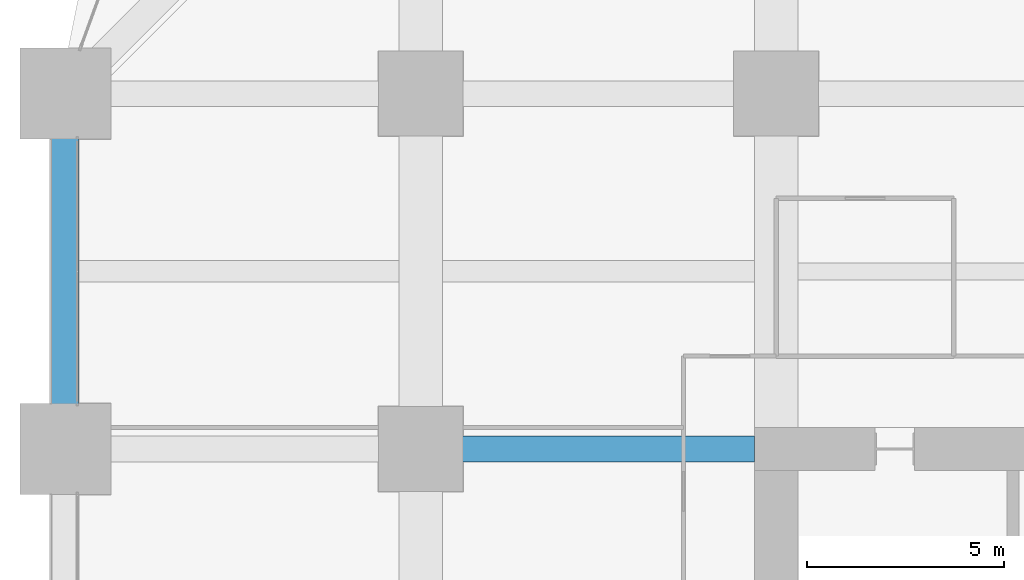
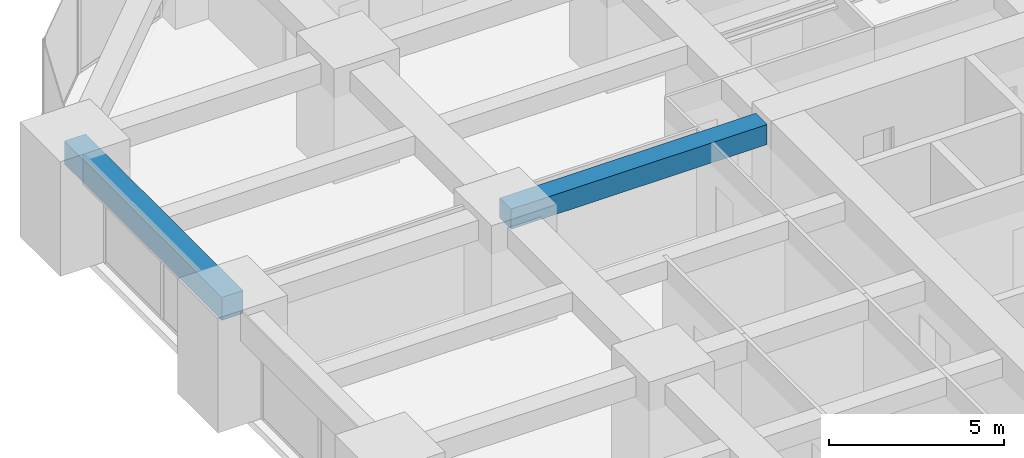
# One storey, part 24 of 44: 2 beams.
"""IFC4 building model written with IfcOpenShell, lengths in metres."""

from ifc_helpers import new_model, si_unit, direction, frame, origin, origin_2d, place, context, subcontext, project, spatial, rectangle, extrude, material, material_profile, profile_set, type_object, element, save


model = new_model("IFC4")

# Units and contexts
model_context = context("Model", 3, precision=1e-05, world=origin(), true_north=direction((0.0, 1.0)))
body_context = subcontext(model_context, "Body", "Model", "MODEL_VIEW")
ifc_project = project(units=[si_unit("LENGTHUNIT", "METRE"), si_unit("AREAUNIT", "SQUARE_METRE"), si_unit("VOLUMEUNIT", "CUBIC_METRE"), si_unit("PLANEANGLEUNIT", "RADIAN"), si_unit("MASSUNIT", "GRAM", prefix="KILO")], contexts=[model_context])

# Site, building, storey
site_placement = place(None, origin())
site = spatial("IfcSite", under=ifc_project, at=site_placement, CompositionType="ELEMENT")
building_placement = place(site_placement, origin())
building = spatial("IfcBuilding", under=site, at=building_placement, Name="Zorevar Civic Tower", CompositionType="ELEMENT")
storey_placement = place(building_placement, frame((0.0, 0.0, 51.800048828125)))
storey = spatial("IfcBuildingStorey", under=building, at=storey_placement, Name="L12", CompositionType="ELEMENT", Elevation=51.800048828125)

# Beams
ifc_material_1 = material(Name="Concrete C50/60", Category="concrete")
ifc_material_profile_1 = material_profile(ifc_material_1, rectangle(XDim=0.64990234375, YDim=0.699951171875, at=origin_2d()), Name="RC 650x700")
ifc_profile_set_1 = profile_set([ifc_material_profile_1], Name="Concrete C50/60")
beam_type_1 = type_object("IfcBeamType", Name="Beam RC 650x700", PredefinedType="BEAM", material=ifc_profile_set_1)
beam_1_placement = place(storey_placement, frame((9.0, 36.0, 3.39990234375), z_axis=(1.0, 0.0, 0.0), x_axis=(0.0, 1.0, 0.0)))
element("IfcBeam", 1, at=beam_1_placement, inside=storey, type_object=beam_type_1, Name="Girder L13", PredefinedType="BEAM", context=body_context, shape_type="SweptSolid", body=[
    extrude(rectangle(XDim=0.64990234375, YDim=0.699951171875, at=origin_2d()), origin(), (0.0, 0.0, 1.0), 8.449951171875),
])
ifc_material_2 = material(Name="Concrete C50/60", Category="concrete")
ifc_material_profile_2 = material_profile(ifc_material_2, rectangle(XDim=0.699951171875, YDim=0.800048828125, at=origin_2d()), Name="RC 700x800")
ifc_profile_set_2 = profile_set([ifc_material_profile_2], Name="Concrete C50/60")
beam_type_2 = type_object("IfcBeamType", Name="Edge beam RC 700x800", PredefinedType="SPANDREL", material=ifc_profile_set_2)
beam_2_placement = place(storey_placement, frame((0.0, 36.0, 3.349853515625), z_axis=(0.0, 1.0, 0.0), x_axis=(-1.0, 0.0, 0.0)))
element("IfcBeam", 2, at=beam_2_placement, inside=storey, type_object=beam_type_2, Name="Edge beam L13", PredefinedType="SPANDREL", context=body_context, shape_type="SweptSolid", body=[
    extrude(rectangle(XDim=0.699951171875, YDim=0.800048828125, at=origin_2d()), origin(), (0.0, 0.0, 1.0), 9.0),
])

save(model, "model.ifc")
